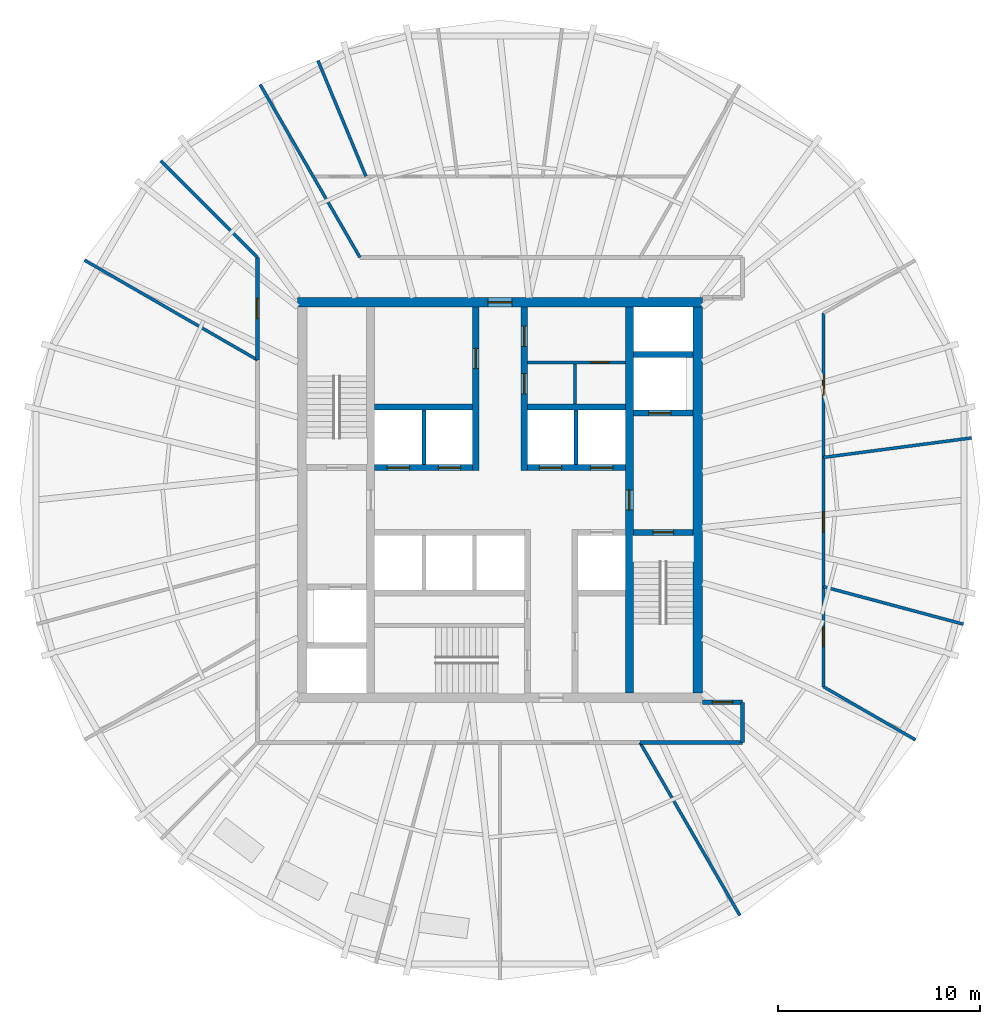
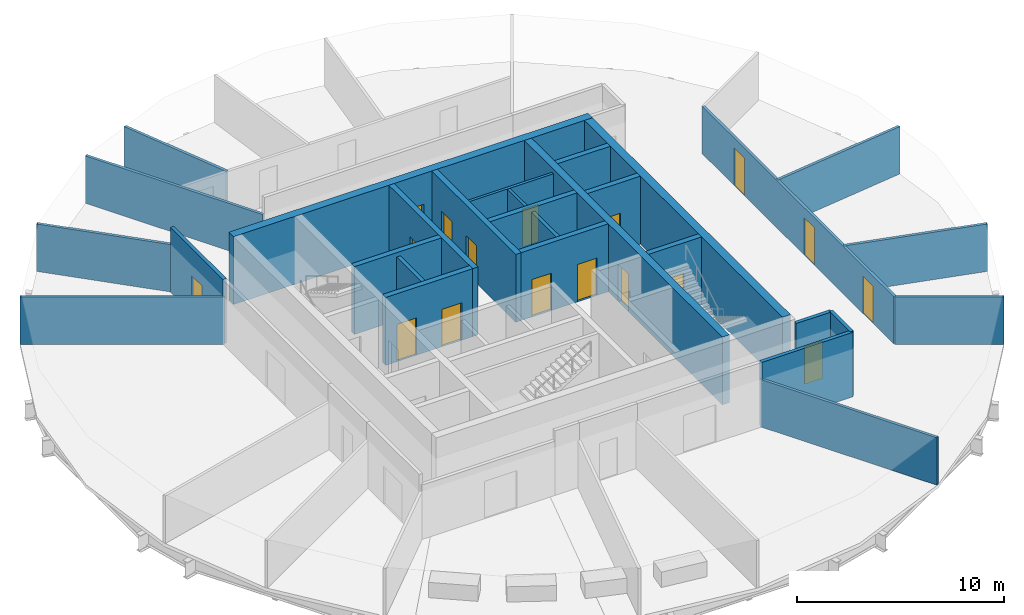
# One storey, part 4 of 7: 29 walls, 17 doors, 17 openings.
"""IFC4 building model written with IfcOpenShell, lengths in metres."""

from ifc_helpers import new_model, si_unit, direction, frame, frame_2d, origin, place, context, subcontext, project, spatial, rectangle, extrude, material, layer, layer_set, type_object, element, fill, save


model = new_model("IFC4")

# Units and contexts
model_context = context("Model", 3, precision=1e-05, world=origin(), true_north=direction((0.0, 1.0)))
body_context = subcontext(model_context, "Body", "Model", "MODEL_VIEW")
ifc_project = project(units=[si_unit("LENGTHUNIT", "METRE"), si_unit("AREAUNIT", "SQUARE_METRE"), si_unit("VOLUMEUNIT", "CUBIC_METRE"), si_unit("PLANEANGLEUNIT", "RADIAN"), si_unit("MASSUNIT", "GRAM", prefix="KILO")], contexts=[model_context])

# Site, building, storey
site_placement = place(None, origin())
site = spatial("IfcSite", under=ifc_project, at=site_placement, CompositionType="ELEMENT")
building_placement = place(site_placement, origin())
building = spatial("IfcBuilding", under=site, at=building_placement, Name="Golbaran Civic Tower", CompositionType="ELEMENT")
storey_placement = place(building_placement, frame((0.0, 0.0, 195.0)))
storey = spatial("IfcBuildingStorey", under=building, at=storey_placement, Name="L47", CompositionType="ELEMENT", Elevation=195.0)

# Wall, opening, door
ifc_material_1 = material(Name="Concrete block", Category="concrete")
ifc_layer_1 = layer(ifc_material_1, 0.14990234375, Name="Concrete block")
ifc_layer_set_1 = layer_set([ifc_layer_1], Name="Concrete block")
wall_type_1 = type_object("IfcWallType", Name="BLOCKWORK PARTITION 150", PredefinedType="PARTITIONING", material=ifc_layer_set_1)
wall_1_placement = place(storey_placement, frame((1.35009765625, 6.800048828125, 0.0), z_axis=(0.0, 0.0, 1.0), x_axis=(1.0, 0.0, 0.0)))
wall_1 = element("IfcWall", 1, at=wall_1_placement, inside=storey, type_object=wall_type_1, Name="Toilet block partition TN1 L47", PredefinedType="PARTITIONING", context=body_context, shape_type="SweptSolid", body=[
    extrude(rectangle(XDim=4.849853515625, YDim=0.14990234375, at=frame_2d((2.4248046875, 0.0))), origin(), (0.0, 0.0, 1.0), 3.75),
])
opening_1_placement = place(wall_1_placement, frame((3.14990234375, 0.0, 0.0)))
opening_1 = element("IfcOpeningElement", 2, at=opening_1_placement, cuts=wall_1, Name="Opening L47.CLN", PredefinedType="OPENING", context=body_context, shape_type="SweptSolid", body=[
    extrude(rectangle(XDim=0.89990234375, YDim=2.199951171875, at=frame_2d((0.449951171875, 1.10009765625))), frame((0.0, 0.0849609375, 0.0), z_axis=(0.0, -1.0, 0.0), x_axis=(1.0, 0.0, 0.0)), (0.0, 0.0, 1.0), 0.169921875),
])
ifc_material_2 = material(Name="Timber door set in steel frame", Category="steel")
door_type_1 = type_object("IfcDoorType", Name="RISER DOOR 900x2200", OperationType="SINGLE_SWING_LEFT", PredefinedType="DOOR", material=ifc_material_2)
door_1_placement = place(opening_1_placement, origin())
door_1 = element("IfcDoor", 3, at=door_1_placement, inside=storey, type_object=door_type_1, Name="Cleaner's Store door", OperationType="SINGLE_SWING_RIGHT", OverallHeight=2.199951171875, OverallWidth=0.89990234375, PredefinedType="DOOR", context=body_context, shape_type="SweptSolid", body=[
    extrude(rectangle(XDim=0.89990234375, YDim=2.199951171875, at=frame_2d((0.449951171875, 1.10009765625))), frame((0.0, 0.02490234375, 0.0), z_axis=(0.0, -1.0, 0.0), x_axis=(1.0, 0.0, 0.0)), (0.0, 0.0, 1.0), 0.050048828125),
])
fill(opening_1, door_1)

# Wall
wall_2_placement = place(storey_placement, frame((3.699951171875, 4.75, 0.0), z_axis=(0.0, 0.0, 1.0), x_axis=(0.0, 1.0, 0.0)))
element("IfcWall", 4, at=wall_2_placement, inside=storey, type_object=wall_type_1, Name="Toilet block partition TN2 L47", PredefinedType="PARTITIONING", context=body_context, shape_type="SweptSolid", body=[
    extrude(rectangle(XDim=1.97509765625, YDim=0.14990234375, at=frame_2d((0.987548828125, 0.0))), origin(), (0.0, 0.0, 1.0), 3.75),
])

# Wall, opening, door
ifc_material_3 = material(Name="Concrete C50/60", Category="concrete")
ifc_layer_2 = layer(ifc_material_3, 0.39990234375, Name="Concrete C50/60")
ifc_layer_set_2 = layer_set([ifc_layer_2], Name="Concrete C50/60")
wall_type_2 = type_object("IfcWallType", Name="CORE WALL CONCRETE 400", PredefinedType="SOLIDWALL", material=ifc_layer_set_2)
wall_3_placement = place(storey_placement, frame((6.39990234375, 9.550048828125, 0.0), z_axis=(0.0, 0.0, 1.0), x_axis=(0.0, -1.0, 0.0)))
wall_3 = element("IfcWall", 5, at=wall_3_placement, inside=storey, type_object=wall_type_2, Name="Core wall IE L47", PredefinedType="SOLIDWALL", context=body_context, shape_type="SweptSolid", body=[
    extrude(rectangle(XDim=19.10009765625, YDim=0.39990234375, at=frame_2d((9.550048828125, 0.0))), origin(), (0.0, 0.0, 1.0), 4.0),
])
opening_2_placement = place(wall_3_placement, frame((9.050048828125, 0.0, 0.0)))
opening_2 = element("IfcOpeningElement", 6, at=opening_2_placement, cuts=wall_3, Name="Opening L47.FL2", PredefinedType="OPENING", context=body_context, shape_type="SweptSolid", body=[
    extrude(rectangle(XDim=1.0, YDim=2.199951171875, at=frame_2d((0.5, 1.10009765625))), frame((0.0, 0.2099609375, 0.0), z_axis=(0.0, -1.0, 0.0), x_axis=(1.0, 0.0, 0.0)), (0.0, 0.0, 1.0), 0.419921875),
])
door_type_2 = type_object("IfcDoorType", Name="STAIR DOOR 1000x2200", OperationType="SINGLE_SWING_LEFT", PredefinedType="DOOR", material=ifc_material_2)
door_2_placement = place(opening_2_placement, origin())
door_2 = element("IfcDoor", 7, at=door_2_placement, inside=storey, type_object=door_type_2, Name="Fire-fighting lobby FL2 door", OperationType="SINGLE_SWING_RIGHT", OverallHeight=2.199951171875, OverallWidth=1.0, PredefinedType="DOOR", context=body_context, shape_type="SweptSolid", body=[
    extrude(rectangle(XDim=1.0, YDim=2.199951171875, at=frame_2d((0.5, 1.10009765625))), frame((0.0, 0.02490234375, 0.0), z_axis=(0.0, -1.0, 0.0), x_axis=(1.0, 0.0, 0.0)), (0.0, 0.0, 1.0), 0.050048828125),
])
fill(opening_2, door_2)

ifc_layer_3 = layer(ifc_material_3, 0.449951171875, Name="Concrete C50/60")
ifc_layer_set_3 = layer_set([ifc_layer_3], Name="Concrete C50/60")
wall_type_3 = type_object("IfcWallType", Name="CORE WALL CONCRETE 450", PredefinedType="SOLIDWALL", material=ifc_layer_set_3)
wall_4_placement = place(storey_placement, frame((-10.0, 9.77490234375, 0.0), z_axis=(0.0, 0.0, 1.0), x_axis=(1.0, 0.0, 0.0)))
wall_4 = element("IfcWall", 8, at=wall_4_placement, inside=storey, type_object=wall_type_3, Name="Core wall CN L47", PredefinedType="SOLIDWALL", context=body_context, shape_type="SweptSolid", body=[
    extrude(rectangle(XDim=20.0, YDim=0.449951171875, at=frame_2d((10.0, 0.0))), origin(), (0.0, 0.0, 1.0), 4.0),
])
opening_3_placement = place(wall_4_placement, frame((9.39990234375, 0.0, 0.0)))
opening_3 = element("IfcOpeningElement", 9, at=opening_3_placement, cuts=wall_4, Name="Opening L47.CN", PredefinedType="OPENING", context=body_context, shape_type="SweptSolid", body=[
    extrude(rectangle(XDim=1.199951171875, YDim=2.199951171875, at=frame_2d((0.60009765625, 1.10009765625))), frame((0.0, 0.23486328125, 0.0), z_axis=(0.0, -1.0, 0.0), x_axis=(1.0, 0.0, 0.0)), (0.0, 0.0, 1.0), 0.469970703125),
])
door_type_3 = type_object("IfcDoorType", Name="CORE DOOR 1200x2200", OperationType="DOUBLE_DOOR_SINGLE_SWING", PredefinedType="DOOR", material=ifc_material_2)
door_3_placement = place(opening_3_placement, origin())
door_3 = element("IfcDoor", 10, at=door_3_placement, inside=storey, type_object=door_type_3, Name="Core door north", OperationType="DOUBLE_DOOR_SINGLE_SWING", OverallHeight=2.199951171875, OverallWidth=1.199951171875, PredefinedType="DOOR", context=body_context, shape_type="SweptSolid", body=[
    extrude(rectangle(XDim=1.199951171875, YDim=2.199951171875, at=frame_2d((0.60009765625, 1.10009765625))), frame((0.0, 0.02490234375, 0.0), z_axis=(0.0, -1.0, 0.0), x_axis=(1.0, 0.0, 0.0)), (0.0, 0.0, 1.0), 0.050048828125),
])
fill(opening_3, door_3)

# Wall
wall_5_placement = place(storey_placement, frame((9.77490234375, -9.550048828125, 0.0), z_axis=(0.0, 0.0, 1.0), x_axis=(0.0, 1.0, 0.0)))
element("IfcWall", 11, at=wall_5_placement, inside=storey, type_object=wall_type_3, Name="Core wall CE L47", PredefinedType="SOLIDWALL", context=body_context, shape_type="SweptSolid", body=[
    extrude(rectangle(XDim=19.10009765625, YDim=0.449951171875, at=frame_2d((9.550048828125, 0.0))), origin(), (0.0, 0.0, 1.0), 4.0),
])

# Wall, opening, door
ifc_material_4 = material(Name="Gypsum board on steel studs, fire-rated", Category="steel")
ifc_layer_4 = layer(ifc_material_4, 0.199951171875, Name="Gypsum board on steel studs, fire-rated")
ifc_layer_set_4 = layer_set([ifc_layer_4], Name="Gypsum board on steel studs, fire-rated")
wall_type_4 = type_object("IfcWallType", Name="CORRIDOR WALL 200", PredefinedType="PARTITIONING", material=ifc_layer_set_4)
wall_6_placement = place(storey_placement, frame((-12.0, 12.0, 0.0), z_axis=(0.0, 0.0, 1.0), x_axis=(0.0, -1.0, 0.0)))
wall_6 = element("IfcWall", 12, at=wall_6_placement, inside=storey, type_object=wall_type_4, Name="Corridor wall L47", PredefinedType="PARTITIONING", context=body_context, shape_type="SweptSolid", body=[
    extrude(rectangle(XDim=5.07177734375, YDim=0.199951171875, at=frame_2d((2.535888671875, 0.0))), origin(), (0.0, 0.0, 1.0), 3.800048828125),
])
opening_4_placement = place(wall_6_placement, frame((2.035888671875, 0.0, 0.0)))
opening_4 = element("IfcOpeningElement", 13, at=opening_4_placement, cuts=wall_6, Name="Opening L47.09", PredefinedType="OPENING", context=body_context, shape_type="SweptSolid", body=[
    extrude(rectangle(XDim=1.0, YDim=2.199951171875, at=frame_2d((0.5, 1.10009765625))), frame((0.0, 0.10986328125, 0.0), z_axis=(0.0, -1.0, 0.0), x_axis=(1.0, 0.0, 0.0)), (0.0, 0.0, 1.0), 0.219970703125),
])
door_type_4 = type_object("IfcDoorType", Name="OFFICE DOOR 1000x2200", OperationType="SINGLE_SWING_LEFT", PredefinedType="DOOR", material=ifc_material_2)
door_4_placement = place(opening_4_placement, origin())
door_4 = element("IfcDoor", 14, at=door_4_placement, inside=storey, type_object=door_type_4, Name="Meeting Room door L47", OperationType="SINGLE_SWING_RIGHT", OverallHeight=2.199951171875, OverallWidth=1.0, PredefinedType="DOOR", context=body_context, shape_type="SweptSolid", body=[
    extrude(rectangle(XDim=1.0, YDim=2.199951171875, at=frame_2d((0.5, 1.10009765625))), frame((0.0, 0.02490234375, 0.0), z_axis=(0.0, -1.0, 0.0), x_axis=(1.0, 0.0, 0.0)), (0.0, 0.0, 1.0), 0.050048828125),
])
fill(opening_4, door_4)

# Walls
wall_7_placement = place(storey_placement, frame((6.92822265625, -12.0, 0.0), z_axis=(0.0, 0.0, 1.0), x_axis=(1.0, 0.0, 0.0)))
element("IfcWall", 15, at=wall_7_placement, inside=storey, type_object=wall_type_4, Name="Corridor wall L47", PredefinedType="PARTITIONING", context=body_context, shape_type="SweptSolid", body=[
    extrude(rectangle(XDim=5.07177734375, YDim=0.199951171875, at=frame_2d((2.535888671875, 0.0))), origin(), (0.0, 0.0, 1.0), 3.800048828125),
])
wall_8_placement = place(storey_placement, frame((12.0, -12.0, 0.0), z_axis=(0.0, 0.0, 1.0), x_axis=(0.0, 1.0, 0.0)))
element("IfcWall", 16, at=wall_8_placement, inside=storey, type_object=wall_type_4, Name="Corridor wall L47", PredefinedType="PARTITIONING", context=body_context, shape_type="SweptSolid", body=[
    extrude(rectangle(XDim=2.0, YDim=0.199951171875, at=frame_2d((1.0, 0.0))), origin(), (0.0, 0.0, 1.0), 3.800048828125),
])

# Wall, opening, door
wall_9_placement = place(storey_placement, frame((10.0, -10.0, 0.0), z_axis=(0.0, 0.0, 1.0), x_axis=(1.0, 0.0, 0.0)))
wall_9 = element("IfcWall", 17, at=wall_9_placement, inside=storey, type_object=wall_type_4, Name="Corridor end wall L47", PredefinedType="PARTITIONING", context=body_context, shape_type="SweptSolid", body=[
    extrude(rectangle(XDim=2.0, YDim=0.199951171875, at=frame_2d((1.0, 0.0))), origin(), (0.0, 0.0, 1.0), 3.800048828125),
])
opening_5_placement = place(wall_9_placement, frame((0.5, 0.0, 0.0)))
opening_5 = element("IfcOpeningElement", 18, at=opening_5_placement, cuts=wall_9, Name="Opening L47.17", PredefinedType="OPENING", context=body_context, shape_type="SweptSolid", body=[
    extrude(rectangle(XDim=1.0, YDim=2.199951171875, at=frame_2d((0.5, 1.10009765625))), frame((0.0, 0.10986328125, 0.0), z_axis=(0.0, -1.0, 0.0), x_axis=(1.0, 0.0, 0.0)), (0.0, 0.0, 1.0), 0.219970703125),
])
door_5_placement = place(opening_5_placement, origin())
door_5 = element("IfcDoor", 19, at=door_5_placement, inside=storey, type_object=door_type_4, Name="Open Office door L47", OperationType="SINGLE_SWING_LEFT", OverallHeight=2.199951171875, OverallWidth=1.0, PredefinedType="DOOR", context=body_context, shape_type="SweptSolid", body=[
    extrude(rectangle(XDim=1.0, YDim=2.199951171875, at=frame_2d((0.5, 1.10009765625))), frame((0.0, 0.02490234375, 0.0), z_axis=(0.0, -1.0, 0.0), x_axis=(1.0, 0.0, 0.0)), (0.0, 0.0, 1.0), 0.050048828125),
])
fill(opening_5, door_5)

# Walls
ifc_layer_5 = layer(ifc_material_1, 0.199951171875, Name="Concrete block")
ifc_layer_set_5 = layer_set([ifc_layer_5], Name="Concrete block")
wall_type_5 = type_object("IfcWallType", Name="LIFT SEPARATOR WALL 200", PredefinedType="SOLIDWALL", material=ifc_layer_set_5)
for number, where, z_axis, x_axis, name in (
    (20, (-3.75, 1.75, 0.0), (0.0, 0.0, 1.0), (0.0, 1.0, 0.0), "Core partition SNW L47"),
    (21, (3.75, 1.75, 0.0), (0.0, 0.0, 1.0), (0.0, 1.0, 0.0), "Core partition SNE L47"),
):
    element("IfcWall", number, at=place(storey_placement, frame(where, z_axis=z_axis, x_axis=x_axis)), inside=storey, type_object=wall_type_5, Name=name, PredefinedType="SOLIDWALL", context=body_context, shape_type="SweptSolid", body=[
        extrude(rectangle(XDim=2.699951171875, YDim=0.199951171875, at=frame_2d((1.35009765625, 0.0))), origin(), (0.0, 0.0, 1.0), 3.75),
    ])
ifc_material_5 = material(Name="Gypsum board on steel studs", Category="steel")
ifc_layer_6 = layer(ifc_material_5, 0.14990234375, Name="Gypsum board on steel studs")
ifc_layer_set_6 = layer_set([ifc_layer_6], Name="Gypsum board on steel studs")
wall_type_6 = type_object("IfcWallType", Name="OFFICE PARTITION 150", PredefinedType="PARTITIONING", material=ifc_layer_set_6)
wall_10_placement = place(storey_placement, frame((-6.92822265625, 12.0, 0.0), z_axis=(0.0, 0.0, 1.0), x_axis=(-0.49999595416, 0.866027739639, 0.0)))
element("IfcWall", 22, at=wall_10_placement, inside=storey, type_object=wall_type_6, Name="Partition 120 L47", PredefinedType="PARTITIONING", context=body_context, shape_type="SweptSolid", body=[
    extrude(rectangle(XDim=9.86474609375, YDim=0.14990234375, at=frame_2d((4.932373046875, 0.0))), origin(), (0.0, 0.0, 1.0), 2.7900390625),
])
wall_11_placement = place(storey_placement, frame((-12.0, 12.0, 0.0), z_axis=(0.0, 0.0, 1.0), x_axis=(-0.707106781187, 0.707106781187, 0.0)))
element("IfcWall", 23, at=wall_11_placement, inside=storey, type_object=wall_type_6, Name="Partition 135 L47", PredefinedType="PARTITIONING", context=body_context, shape_type="SweptSolid", body=[
    extrude(rectangle(XDim=6.750732421875, YDim=0.14990234375, at=frame_2d((3.37548828125, 0.0))), origin(), (0.0, 0.0, 1.0), 2.7900390625),
])
for number, where, z_axis, x_axis, name in (
    (24, (-12.0, 6.92822265625, 0.0), (0.0, 0.0, 1.0), (-0.866027739639, 0.49999595416, 0.0), "Partition 150 L47"),
    (25, (6.92822265625, -12.0, 0.0), (0.0, 0.0, 1.0), (0.49999595416, -0.866027739639, 0.0), "Partition 300 L47"),
):
    element("IfcWall", number, at=place(storey_placement, frame(where, z_axis=z_axis, x_axis=x_axis)), inside=storey, type_object=wall_type_6, Name=name, PredefinedType="PARTITIONING", context=body_context, shape_type="SweptSolid", body=[
        extrude(rectangle(XDim=9.86474609375, YDim=0.14990234375, at=frame_2d((4.932373046875, 0.0))), origin(), (0.0, 0.0, 1.0), 2.7900390625),
    ])

# Wall, openings, doors
wall_12_placement = place(storey_placement, frame((16.0, -9.237548828125, 0.0), z_axis=(0.0, 0.0, 1.0), x_axis=(0.0, 1.0, 0.0)))
wall_12 = element("IfcWall", 26, at=wall_12_placement, inside=storey, type_object=wall_type_6, Name="Suite partition L47", PredefinedType="PARTITIONING", context=body_context, shape_type="SweptSolid", body=[
    extrude(rectangle(XDim=18.47509765625, YDim=0.14990234375, at=frame_2d((9.237548828125, 0.0))), origin(), (0.0, 0.0, 1.0), 2.7900390625),
])
opening_6_placement = place(wall_12_placement, frame((1.97509765625, 0.0, 0.0)))
opening_6 = element("IfcOpeningElement", 27, at=opening_6_placement, cuts=wall_12, Name="Opening L47.01", PredefinedType="OPENING", context=body_context, shape_type="SweptSolid", body=[
    extrude(rectangle(XDim=1.0, YDim=2.199951171875, at=frame_2d((0.5, 1.10009765625))), frame((0.0, 0.0849609375, 0.0), z_axis=(0.0, -1.0, 0.0), x_axis=(1.0, 0.0, 0.0)), (0.0, 0.0, 1.0), 0.169921875),
])
opening_7_placement = place(wall_12_placement, frame((7.647216796875, 0.0, 0.0)))
opening_7 = element("IfcOpeningElement", 28, at=opening_7_placement, cuts=wall_12, Name="Opening L47.02", PredefinedType="OPENING", context=body_context, shape_type="SweptSolid", body=[
    extrude(rectangle(XDim=1.0, YDim=2.199951171875, at=frame_2d((0.5, 1.10009765625))), frame((0.0, 0.0849609375, 0.0), z_axis=(0.0, -1.0, 0.0), x_axis=(1.0, 0.0, 0.0)), (0.0, 0.0, 1.0), 0.169921875),
])
opening_8_placement = place(wall_12_placement, frame((14.40966796875, 0.0, 0.0)))
opening_8 = element("IfcOpeningElement", 29, at=opening_8_placement, cuts=wall_12, Name="Opening L47.03", PredefinedType="OPENING", context=body_context, shape_type="SweptSolid", body=[
    extrude(rectangle(XDim=1.0, YDim=2.199951171875, at=frame_2d((0.5, 1.10009765625))), frame((0.0, 0.0849609375, 0.0), z_axis=(0.0, -1.0, 0.0), x_axis=(1.0, 0.0, 0.0)), (0.0, 0.0, 1.0), 0.169921875),
])
door_6_placement = place(opening_6_placement, origin())
door_6 = element("IfcDoor", 30, at=door_6_placement, inside=storey, type_object=door_type_4, Name="Server Room door L47", OperationType="SINGLE_SWING_LEFT", OverallHeight=2.199951171875, OverallWidth=1.0, PredefinedType="DOOR", context=body_context, shape_type="SweptSolid", body=[
    extrude(rectangle(XDim=1.0, YDim=2.199951171875, at=frame_2d((0.5, 1.10009765625))), frame((0.0, 0.02490234375, 0.0), z_axis=(0.0, -1.0, 0.0), x_axis=(1.0, 0.0, 0.0)), (0.0, 0.0, 1.0), 0.050048828125),
])
fill(opening_6, door_6)
door_7_placement = place(opening_7_placement, origin())
door_7 = element("IfcDoor", 31, at=door_7_placement, inside=storey, type_object=door_type_4, Name="Project Room door L47", OperationType="SINGLE_SWING_LEFT", OverallHeight=2.199951171875, OverallWidth=1.0, PredefinedType="DOOR", context=body_context, shape_type="SweptSolid", body=[
    extrude(rectangle(XDim=1.0, YDim=2.199951171875, at=frame_2d((0.5, 1.10009765625))), frame((0.0, 0.02490234375, 0.0), z_axis=(0.0, -1.0, 0.0), x_axis=(1.0, 0.0, 0.0)), (0.0, 0.0, 1.0), 0.050048828125),
])
fill(opening_7, door_7)
door_8_placement = place(opening_8_placement, origin())
door_8 = element("IfcDoor", 32, at=door_8_placement, inside=storey, type_object=door_type_4, Name="Office door L47", OperationType="SINGLE_SWING_RIGHT", OverallHeight=2.199951171875, OverallWidth=1.0, PredefinedType="DOOR", context=body_context, shape_type="SweptSolid", body=[
    extrude(rectangle(XDim=1.0, YDim=2.199951171875, at=frame_2d((0.5, 1.10009765625))), frame((0.0, 0.02490234375, 0.0), z_axis=(0.0, -1.0, 0.0), x_axis=(1.0, 0.0, 0.0)), (0.0, 0.0, 1.0), 0.050048828125),
])
fill(opening_8, door_8)

# Walls
wall_13_placement = place(storey_placement, frame((16.0, -9.237548828125, 0.0), z_axis=(0.0, 0.0, 1.0), x_axis=(0.866023613507, -0.500003100839, 0.0)))
element("IfcWall", 33, at=wall_13_placement, inside=storey, type_object=wall_type_6, Name="Suite side partition L47", PredefinedType="PARTITIONING", context=body_context, shape_type="SweptSolid", body=[
    extrude(rectangle(XDim=5.24609375, YDim=0.14990234375, at=frame_2d((2.623046875, 0.0))), origin(), (0.0, 0.0, 1.0), 2.7900390625),
])
wall_14_placement = place(storey_placement, frame((16.0, -4.287109375, 0.0), z_axis=(0.0, 0.0, 1.0), x_axis=(0.965925667522, -0.25881963763, 0.0)))
element("IfcWall", 34, at=wall_14_placement, inside=storey, type_object=wall_type_6, Name="Partition 345 L47", PredefinedType="PARTITIONING", context=body_context, shape_type="SweptSolid", body=[
    extrude(rectangle(XDim=7.15673828125, YDim=0.14990234375, at=frame_2d((3.578369140625, 0.0))), origin(), (0.0, 0.0, 1.0), 2.7900390625),
])
wall_15_placement = place(storey_placement, frame((16.0, 2.1064453125, 0.0), z_axis=(0.0, 0.0, 1.0), x_axis=(0.991443821111, 0.130534093561, 0.0)))
element("IfcWall", 35, at=wall_15_placement, inside=storey, type_object=wall_type_6, Name="Partition 7.5 L47", PredefinedType="PARTITIONING", context=body_context, shape_type="SweptSolid", body=[
    extrude(rectangle(XDim=7.38037109375, YDim=0.14990234375, at=frame_2d((3.690185546875, 0.0))), origin(), (0.0, 0.0, 1.0), 2.7900390625),
])
wall_16_placement = place(storey_placement, frame((-6.62744140625, 16.0, 0.0), z_axis=(0.0, 0.0, 1.0), x_axis=(-0.382674068277, 0.923883411188, 0.0)))
element("IfcWall", 36, at=wall_16_placement, inside=storey, type_object=wall_type_6, Name="Partition 112.5 L47", PredefinedType="PARTITIONING", context=body_context, shape_type="SweptSolid", body=[
    extrude(rectangle(XDim=6.199951171875, YDim=0.14990234375, at=frame_2d((3.10009765625, 0.0))), origin(), (0.0, 0.0, 1.0), 2.7900390625),
])

# Wall, openings, doors
ifc_layer_7 = layer(ifc_material_3, 0.300048828125, Name="Concrete C50/60")
ifc_layer_set_7 = layer_set([ifc_layer_7], Name="Concrete C50/60")
wall_type_7 = type_object("IfcWallType", Name="SHAFT WALL CONCRETE 300", PredefinedType="SOLIDWALL", material=ifc_layer_set_7)
wall_17_placement = place(storey_placement, frame((-6.199951171875, 1.60009765625, 0.0), z_axis=(0.0, 0.0, 1.0), x_axis=(1.0, 0.0, 0.0)))
wall_17 = element("IfcWall", 37, at=wall_17_placement, inside=storey, type_object=wall_type_7, Name="Core wall FNW L47", PredefinedType="SOLIDWALL", context=body_context, shape_type="SweptSolid", body=[
    extrude(rectangle(XDim=4.849853515625, YDim=0.300048828125, at=frame_2d((2.4248046875, 0.0))), origin(), (0.0, 0.0, 1.0), 4.0),
])
opening_9_placement = place(wall_17_placement, frame((0.625, 0.0, 0.0)))
opening_9 = element("IfcOpeningElement", 38, at=opening_9_placement, cuts=wall_17, Name="Opening L47.LD-Z1H", PredefinedType="OPENING", context=body_context, shape_type="SweptSolid", body=[
    extrude(rectangle(XDim=1.10009765625, YDim=2.199951171875, at=frame_2d((0.550048828125, 1.10009765625))), frame((0.0, 0.159912109375, 0.0), z_axis=(0.0, -1.0, 0.0), x_axis=(1.0, 0.0, 0.0)), (0.0, 0.0, 1.0), 0.320068359375),
])
opening_10_placement = place(wall_17_placement, frame((3.14990234375, 0.0, 0.0)))
opening_10 = element("IfcOpeningElement", 39, at=opening_10_placement, cuts=wall_17, Name="Opening L47.LD-Z2H", PredefinedType="OPENING", context=body_context, shape_type="SweptSolid", body=[
    extrude(rectangle(XDim=1.10009765625, YDim=2.199951171875, at=frame_2d((0.550048828125, 1.10009765625))), frame((0.0, 0.159912109375, 0.0), z_axis=(0.0, -1.0, 0.0), x_axis=(1.0, 0.0, 0.0)), (0.0, 0.0, 1.0), 0.320068359375),
])
ifc_material_6 = material(Name="Stainless steel", Category="steel")
door_type_5 = type_object("IfcDoorType", Name="LIFT LANDING DOOR 1100x2200", OperationType="SLIDING_TO_LEFT", PredefinedType="DOOR", material=ifc_material_6)
door_9_placement = place(opening_9_placement, origin())
door_9 = element("IfcDoor", 40, at=door_9_placement, inside=storey, type_object=door_type_5, Name="Lift landing door Z1H", OperationType="SLIDING_TO_LEFT", OverallHeight=2.199951171875, OverallWidth=1.10009765625, PredefinedType="DOOR", context=body_context, shape_type="SweptSolid", body=[
    extrude(rectangle(XDim=1.10009765625, YDim=2.199951171875, at=frame_2d((0.550048828125, 1.10009765625))), frame((0.0, 0.02490234375, 0.0), z_axis=(0.0, -1.0, 0.0), x_axis=(1.0, 0.0, 0.0)), (0.0, 0.0, 1.0), 0.050048828125),
])
fill(opening_9, door_9)
door_10_placement = place(opening_10_placement, origin())
door_10 = element("IfcDoor", 41, at=door_10_placement, inside=storey, type_object=door_type_5, Name="Lift landing door Z2H", OperationType="SLIDING_TO_LEFT", OverallHeight=2.199951171875, OverallWidth=1.10009765625, PredefinedType="DOOR", context=body_context, shape_type="SweptSolid", body=[
    extrude(rectangle(XDim=1.10009765625, YDim=2.199951171875, at=frame_2d((0.550048828125, 1.10009765625))), frame((0.0, 0.02490234375, 0.0), z_axis=(0.0, -1.0, 0.0), x_axis=(1.0, 0.0, 0.0)), (0.0, 0.0, 1.0), 0.050048828125),
])
fill(opening_10, door_10)

wall_18_placement = place(storey_placement, frame((1.35009765625, 1.60009765625, 0.0), z_axis=(0.0, 0.0, 1.0), x_axis=(1.0, 0.0, 0.0)))
wall_18 = element("IfcWall", 42, at=wall_18_placement, inside=storey, type_object=wall_type_7, Name="Core wall FNE L47", PredefinedType="SOLIDWALL", context=body_context, shape_type="SweptSolid", body=[
    extrude(rectangle(XDim=4.849853515625, YDim=0.300048828125, at=frame_2d((2.4248046875, 0.0))), origin(), (0.0, 0.0, 1.0), 4.0),
])
opening_11_placement = place(wall_18_placement, frame((0.60009765625, 0.0, 0.0)))
opening_11 = element("IfcOpeningElement", 43, at=opening_11_placement, cuts=wall_18, Name="Opening L47.LD-Z3H", PredefinedType="OPENING", context=body_context, shape_type="SweptSolid", body=[
    extrude(rectangle(XDim=1.10009765625, YDim=2.199951171875, at=frame_2d((0.550048828125, 1.10009765625))), frame((0.0, 0.159912109375, 0.0), z_axis=(0.0, -1.0, 0.0), x_axis=(1.0, 0.0, 0.0)), (0.0, 0.0, 1.0), 0.320068359375),
])
opening_12_placement = place(wall_18_placement, frame((3.125, 0.0, 0.0)))
opening_12 = element("IfcOpeningElement", 44, at=opening_12_placement, cuts=wall_18, Name="Opening L47.LD-Z4H", PredefinedType="OPENING", context=body_context, shape_type="SweptSolid", body=[
    extrude(rectangle(XDim=1.10009765625, YDim=2.199951171875, at=frame_2d((0.550048828125, 1.10009765625))), frame((0.0, 0.159912109375, 0.0), z_axis=(0.0, -1.0, 0.0), x_axis=(1.0, 0.0, 0.0)), (0.0, 0.0, 1.0), 0.320068359375),
])
door_11_placement = place(opening_11_placement, origin())
door_11 = element("IfcDoor", 45, at=door_11_placement, inside=storey, type_object=door_type_5, Name="Lift landing door Z3H", OperationType="SLIDING_TO_LEFT", OverallHeight=2.199951171875, OverallWidth=1.10009765625, PredefinedType="DOOR", context=body_context, shape_type="SweptSolid", body=[
    extrude(rectangle(XDim=1.10009765625, YDim=2.199951171875, at=frame_2d((0.550048828125, 1.10009765625))), frame((0.0, 0.02490234375, 0.0), z_axis=(0.0, -1.0, 0.0), x_axis=(1.0, 0.0, 0.0)), (0.0, 0.0, 1.0), 0.050048828125),
])
fill(opening_11, door_11)
door_12_placement = place(opening_12_placement, origin())
door_12 = element("IfcDoor", 46, at=door_12_placement, inside=storey, type_object=door_type_5, Name="Lift landing door Z4H", OperationType="SLIDING_TO_LEFT", OverallHeight=2.199951171875, OverallWidth=1.10009765625, PredefinedType="DOOR", context=body_context, shape_type="SweptSolid", body=[
    extrude(rectangle(XDim=1.10009765625, YDim=2.199951171875, at=frame_2d((0.550048828125, 1.10009765625))), frame((0.0, 0.02490234375, 0.0), z_axis=(0.0, -1.0, 0.0), x_axis=(1.0, 0.0, 0.0)), (0.0, 0.0, 1.0), 0.050048828125),
])
fill(opening_12, door_12)

# Walls
for number, where, z_axis, x_axis, name in (
    (47, (-6.199951171875, 4.60009765625, 0.0), (0.0, 0.0, 1.0), (1.0, 0.0, 0.0), "Core wall BNW L47"),
    (48, (1.35009765625, 4.60009765625, 0.0), (0.0, 0.0, 1.0), (1.0, 0.0, 0.0), "Core wall BNE L47"),
):
    element("IfcWall", number, at=place(storey_placement, frame(where, z_axis=z_axis, x_axis=x_axis)), inside=storey, type_object=wall_type_7, Name=name, PredefinedType="SOLIDWALL", context=body_context, shape_type="SweptSolid", body=[
        extrude(rectangle(XDim=4.849853515625, YDim=0.300048828125, at=frame_2d((2.4248046875, 0.0))), origin(), (0.0, 0.0, 1.0), 4.0),
    ])

# Wall, opening, door
wall_19_placement = place(storey_placement, frame((-1.199951171875, 1.449951171875, 0.0), z_axis=(0.0, 0.0, 1.0), x_axis=(0.0, 1.0, 0.0)))
wall_19 = element("IfcWall", 49, at=wall_19_placement, inside=storey, type_object=wall_type_7, Name="Core wall PNW L47", PredefinedType="SOLIDWALL", context=body_context, shape_type="SweptSolid", body=[
    extrude(rectangle(XDim=8.10009765625, YDim=0.300048828125, at=frame_2d((4.050048828125, 0.0))), origin(), (0.0, 0.0, 1.0), 4.0),
])
opening_13_placement = place(wall_19_placement, frame((5.050048828125, 0.0, 0.0)))
opening_13 = element("IfcOpeningElement", 50, at=opening_13_placement, cuts=wall_19, Name="Opening L47.WCM", PredefinedType="OPENING", context=body_context, shape_type="SweptSolid", body=[
    extrude(rectangle(XDim=1.0, YDim=2.199951171875, at=frame_2d((0.5, 1.10009765625))), frame((0.0, 0.159912109375, 0.0), z_axis=(0.0, -1.0, 0.0), x_axis=(1.0, 0.0, 0.0)), (0.0, 0.0, 1.0), 0.320068359375),
])
door_type_6 = type_object("IfcDoorType", Name="TOILET DOOR 1000x2200", OperationType="SINGLE_SWING_LEFT", PredefinedType="DOOR", material=ifc_material_2)
door_13_placement = place(opening_13_placement, origin())
door_13 = element("IfcDoor", 51, at=door_13_placement, inside=storey, type_object=door_type_6, Name="North-west toilet block door", OperationType="SINGLE_SWING_RIGHT", OverallHeight=2.199951171875, OverallWidth=1.0, PredefinedType="DOOR", context=body_context, shape_type="SweptSolid", body=[
    extrude(rectangle(XDim=1.0, YDim=2.199951171875, at=frame_2d((0.5, 1.10009765625))), frame((0.0, 0.02490234375, 0.0), z_axis=(0.0, -1.0, 0.0), x_axis=(1.0, 0.0, 0.0)), (0.0, 0.0, 1.0), 0.050048828125),
])
fill(opening_13, door_13)

# Wall, openings, doors
wall_20_placement = place(storey_placement, frame((1.199951171875, 1.449951171875, 0.0), z_axis=(0.0, 0.0, 1.0), x_axis=(0.0, 1.0, 0.0)))
wall_20 = element("IfcWall", 52, at=wall_20_placement, inside=storey, type_object=wall_type_7, Name="Core wall PNE L47", PredefinedType="SOLIDWALL", context=body_context, shape_type="SweptSolid", body=[
    extrude(rectangle(XDim=8.10009765625, YDim=0.300048828125, at=frame_2d((4.050048828125, 0.0))), origin(), (0.0, 0.0, 1.0), 4.0),
])
opening_14_placement = place(wall_20_placement, frame((3.800048828125, 0.0, 0.0)))
opening_14 = element("IfcOpeningElement", 53, at=opening_14_placement, cuts=wall_20, Name="Opening L47.WCA", PredefinedType="OPENING", context=body_context, shape_type="SweptSolid", body=[
    extrude(rectangle(XDim=1.0, YDim=2.199951171875, at=frame_2d((0.5, 1.10009765625))), frame((0.0, 0.159912109375, 0.0), z_axis=(0.0, -1.0, 0.0), x_axis=(1.0, 0.0, 0.0)), (0.0, 0.0, 1.0), 0.320068359375),
])
opening_15_placement = place(wall_20_placement, frame((6.14990234375, 0.0, 0.0)))
opening_15 = element("IfcOpeningElement", 54, at=opening_15_placement, cuts=wall_20, Name="Opening L47.WCF", PredefinedType="OPENING", context=body_context, shape_type="SweptSolid", body=[
    extrude(rectangle(XDim=1.0, YDim=2.199951171875, at=frame_2d((0.5, 1.10009765625))), frame((0.0, 0.159912109375, 0.0), z_axis=(0.0, -1.0, 0.0), x_axis=(1.0, 0.0, 0.0)), (0.0, 0.0, 1.0), 0.320068359375),
])
door_14_placement = place(opening_14_placement, origin())
door_14 = element("IfcDoor", 55, at=door_14_placement, inside=storey, type_object=door_type_6, Name="Accessible WC door", OperationType="SINGLE_SWING_RIGHT", OverallHeight=2.199951171875, OverallWidth=1.0, PredefinedType="DOOR", context=body_context, shape_type="SweptSolid", body=[
    extrude(rectangle(XDim=1.0, YDim=2.199951171875, at=frame_2d((0.5, 1.10009765625))), frame((0.0, 0.02490234375, 0.0), z_axis=(0.0, -1.0, 0.0), x_axis=(1.0, 0.0, 0.0)), (0.0, 0.0, 1.0), 0.050048828125),
])
fill(opening_14, door_14)
door_15_placement = place(opening_15_placement, origin())
door_15 = element("IfcDoor", 56, at=door_15_placement, inside=storey, type_object=door_type_6, Name="North-east toilet block door", OperationType="SINGLE_SWING_RIGHT", OverallHeight=2.199951171875, OverallWidth=1.0, PredefinedType="DOOR", context=body_context, shape_type="SweptSolid", body=[
    extrude(rectangle(XDim=1.0, YDim=2.199951171875, at=frame_2d((0.5, 1.10009765625))), frame((0.0, 0.02490234375, 0.0), z_axis=(0.0, -1.0, 0.0), x_axis=(1.0, 0.0, 0.0)), (0.0, 0.0, 1.0), 0.050048828125),
])
fill(opening_15, door_15)

# Wall, opening, door
wall_21_placement = place(storey_placement, frame((6.60009765625, -1.60009765625, 0.0), z_axis=(0.0, 0.0, 1.0), x_axis=(1.0, 0.0, 0.0)))
wall_21 = element("IfcWall", 57, at=wall_21_placement, inside=storey, type_object=wall_type_7, Name="Core wall XE1 L47", PredefinedType="SOLIDWALL", context=body_context, shape_type="SweptSolid", body=[
    extrude(rectangle(XDim=2.949951171875, YDim=0.300048828125, at=frame_2d((1.47509765625, 0.0))), origin(), (0.0, 0.0, 1.0), 4.0),
])
opening_16_placement = place(wall_21_placement, frame((0.97509765625, 0.0, 0.0)))
opening_16 = element("IfcOpeningElement", 58, at=opening_16_placement, cuts=wall_21, Name="Opening L47.S2", PredefinedType="OPENING", context=body_context, shape_type="SweptSolid", body=[
    extrude(rectangle(XDim=1.0, YDim=2.199951171875, at=frame_2d((0.5, 1.10009765625))), frame((0.0, 0.159912109375, 0.0), z_axis=(0.0, -1.0, 0.0), x_axis=(1.0, 0.0, 0.0)), (0.0, 0.0, 1.0), 0.320068359375),
])
door_16_placement = place(opening_16_placement, origin())
door_16 = element("IfcDoor", 59, at=door_16_placement, inside=storey, type_object=door_type_2, Name="Stair S2 door", OperationType="SINGLE_SWING_LEFT", OverallHeight=2.199951171875, OverallWidth=1.0, PredefinedType="DOOR", context=body_context, shape_type="SweptSolid", body=[
    extrude(rectangle(XDim=1.0, YDim=2.199951171875, at=frame_2d((0.5, 1.10009765625))), frame((0.0, 0.02490234375, 0.0), z_axis=(0.0, -1.0, 0.0), x_axis=(1.0, 0.0, 0.0)), (0.0, 0.0, 1.0), 0.050048828125),
])
fill(opening_16, door_16)

wall_22_placement = place(storey_placement, frame((6.60009765625, 4.300048828125, 0.0), z_axis=(0.0, 0.0, 1.0), x_axis=(1.0, 0.0, 0.0)))
wall_22 = element("IfcWall", 60, at=wall_22_placement, inside=storey, type_object=wall_type_7, Name="Core wall XE2 L47", PredefinedType="SOLIDWALL", context=body_context, shape_type="SweptSolid", body=[
    extrude(rectangle(XDim=2.949951171875, YDim=0.300048828125, at=frame_2d((1.47509765625, 0.0))), origin(), (0.0, 0.0, 1.0), 4.0),
])
opening_17_placement = place(wall_22_placement, frame((0.75, 0.0, 0.0)))
opening_17 = element("IfcOpeningElement", 61, at=opening_17_placement, cuts=wall_22, Name="Opening L47.LD-F2", PredefinedType="OPENING", context=body_context, shape_type="SweptSolid", body=[
    extrude(rectangle(XDim=1.10009765625, YDim=2.199951171875, at=frame_2d((0.550048828125, 1.10009765625))), frame((0.0, 0.159912109375, 0.0), z_axis=(0.0, -1.0, 0.0), x_axis=(1.0, 0.0, 0.0)), (0.0, 0.0, 1.0), 0.320068359375),
])
door_17_placement = place(opening_17_placement, origin())
door_17 = element("IfcDoor", 62, at=door_17_placement, inside=storey, type_object=door_type_5, Name="Lift landing door F2", OperationType="SLIDING_TO_LEFT", OverallHeight=2.199951171875, OverallWidth=1.10009765625, PredefinedType="DOOR", context=body_context, shape_type="SweptSolid", body=[
    extrude(rectangle(XDim=1.10009765625, YDim=2.199951171875, at=frame_2d((0.550048828125, 1.10009765625))), frame((0.0, 0.02490234375, 0.0), z_axis=(0.0, -1.0, 0.0), x_axis=(1.0, 0.0, 0.0)), (0.0, 0.0, 1.0), 0.050048828125),
])
fill(opening_17, door_17)

# Wall
wall_23_placement = place(storey_placement, frame((6.60009765625, 7.199951171875, 0.0), z_axis=(0.0, 0.0, 1.0), x_axis=(1.0, 0.0, 0.0)))
element("IfcWall", 63, at=wall_23_placement, inside=storey, type_object=wall_type_7, Name="Core wall XE3 L47", PredefinedType="SOLIDWALL", context=body_context, shape_type="SweptSolid", body=[
    extrude(rectangle(XDim=2.949951171875, YDim=0.300048828125, at=frame_2d((1.47509765625, 0.0))), origin(), (0.0, 0.0, 1.0), 4.0),
])

save(model, "model.ifc")
